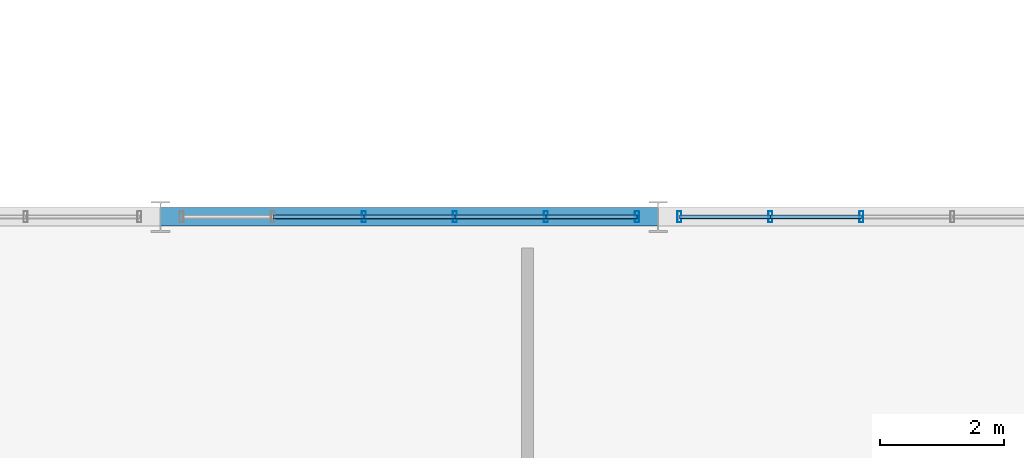
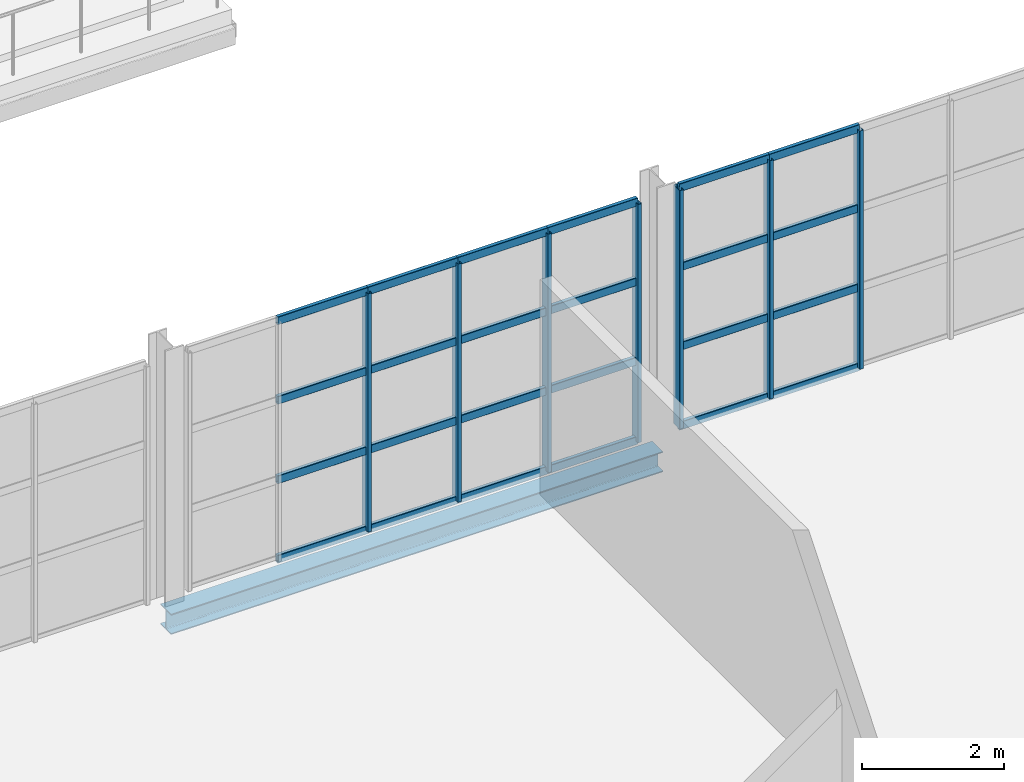
# One storey, part 115 of 153: 31 members, 1 beam, 2 elements without a shape of their own.
"""IFC4 building model written with IfcOpenShell, lengths in metres."""

from ifc_helpers import new_model, si_unit, derived_unit, direction, frame, origin, origin_2d, place, context, subcontext, project, spatial, hollow_rectangle, i_section, extrude, material, material_profile, profile_set, type_object, element, aggregate, save


model = new_model("IFC4")

# Units and contexts
model_context = context("Model", 3, precision=1e-05, world=origin(), true_north=direction((0.0, 1.0)))
body_context = subcontext(model_context, "Body", "Model", "MODEL_VIEW")
ifc_project = project(units=[si_unit("LENGTHUNIT", "METRE"), si_unit("AREAUNIT", "SQUARE_METRE"), si_unit("VOLUMEUNIT", "CUBIC_METRE"), si_unit("PLANEANGLEUNIT", "RADIAN"), si_unit("MASSUNIT", "GRAM", prefix="KILO"), derived_unit("THERMALTRANSMITTANCEUNIT", [(si_unit("POWERUNIT", "WATT"), 1), (si_unit("LENGTHUNIT", "METRE"), -2), (si_unit("THERMODYNAMICTEMPERATUREUNIT", "KELVIN"), -1)])], contexts=[model_context])

# Site, building, storey
site_placement = place(None, origin())
site = spatial("IfcSite", under=ifc_project, at=site_placement, CompositionType="ELEMENT")
building_placement = place(site_placement, origin())
building = spatial("IfcBuilding", under=site, at=building_placement, Name="Keldorne Ridge Multi-Sports Centre", CompositionType="ELEMENT")
storey_placement = place(building_placement, frame((0.0, 0.0, 9.60009765625)))
storey = spatial("IfcBuildingStorey", under=building, at=storey_placement, Name="L02", CompositionType="ELEMENT", Elevation=9.60009765625)

# Beam
ifc_material_1 = material(Name="Steel S355", Category="steel")
ifc_material_profile_1 = material_profile(ifc_material_1, i_section(OverallWidth=0.300048828125, OverallDepth=0.35009765625, WebThickness=0.010009765625, FlangeThickness=0.017578125, FilletRadius=0.027099609375, at=origin_2d()), Name="HEA 360")
ifc_profile_set_1 = profile_set([ifc_material_profile_1], Name="Steel S355")
beam_type = type_object("IfcBeamType", Name="BM-SP-03", PredefinedType="SPANDREL", material=ifc_profile_set_1)
beam_placement = place(storey_placement, frame((152.0, 54.0, -0.4150390625), z_axis=(1.0, 0.0, 0.0), x_axis=(0.0, 1.0, 0.0)))
element("IfcBeam", 1, at=beam_placement, inside=storey, type_object=beam_type, Name="L02 Stacked Courts beam 7.13", PredefinedType="SPANDREL", context=body_context, shape_type="SweptSolid", body=[
    extrude(i_section(OverallWidth=0.300048828125, OverallDepth=0.35009765625, WebThickness=0.010009765625, FlangeThickness=0.017578125, FilletRadius=0.027099609375, at=origin_2d()), origin(), (0.0, 0.0, 1.0), 8.0),
])

# Curtain wall, members
ifc_material_2 = material(Name="Anodized aluminium", Category="aluminium")
curtain_wall_type_1 = type_object("IfcCurtainWallType", Name="CW-CW-02", PredefinedType="NOTDEFINED", material=ifc_material_2)
curtain_wall_1_placement = place(storey_placement, origin())
curtain_wall_1 = element("IfcCurtainWall", 2, at=curtain_wall_1_placement, inside=storey, type_object=curtain_wall_type_1, Name="Upper Courts north glazing 130", PredefinedType="NOTDEFINED")
ifc_material_profile_2 = material_profile(ifc_material_2, hollow_rectangle(XDim=0.06494140625, YDim=0.179931640625, WallThickness=0.00439453125, InnerFilletRadius=0.00439453125, OuterFilletRadius=0.009033203125, at=origin_2d()), Name="ALU MULLION 180x65x4.5")
ifc_profile_set_2 = profile_set([ifc_material_profile_2], Name="Anodized aluminium")
member_type_1 = type_object("IfcMemberType", Name="MEM-ML-01", PredefinedType="MULLION", material=ifc_profile_set_2)
member_1_placement = place(storey_placement, frame((159.659912109375, 54.0, 0.0), z_axis=(0.0, 0.0, 1.0), x_axis=(1.0, 0.0, 0.0)))
member_1 = element("IfcMember", 3, at=member_1_placement, type_object=member_type_1, Name="CW-130 vertical mullion 1", PredefinedType="MULLION", context=body_context, shape_type="SweptSolid", body=[
    extrude(hollow_rectangle(XDim=0.06494140625, YDim=0.179931640625, WallThickness=0.00439453125, InnerFilletRadius=0.00439453125, OuterFilletRadius=0.009033203125, at=origin_2d()), origin(), (0.0, 0.0, 1.0), 4.099853515625),
])
member_2_placement = place(storey_placement, frame((158.196044921875, 54.0, 0.0), z_axis=(0.0, 0.0, 1.0), x_axis=(1.0, 0.0, 0.0)))
member_2 = element("IfcMember", 4, at=member_2_placement, type_object=member_type_1, Name="CW-130 vertical mullion 2", PredefinedType="MULLION", context=body_context, shape_type="SweptSolid", body=[
    extrude(hollow_rectangle(XDim=0.06494140625, YDim=0.179931640625, WallThickness=0.00439453125, InnerFilletRadius=0.00439453125, OuterFilletRadius=0.009033203125, at=origin_2d()), origin(), (0.0, 0.0, 1.0), 4.099853515625),
])
member_3_placement = place(storey_placement, frame((156.73193359375, 54.0, 0.0), z_axis=(0.0, 0.0, 1.0), x_axis=(1.0, 0.0, 0.0)))
member_3 = element("IfcMember", 5, at=member_3_placement, type_object=member_type_1, Name="CW-130 vertical mullion 3", PredefinedType="MULLION", context=body_context, shape_type="SweptSolid", body=[
    extrude(hollow_rectangle(XDim=0.06494140625, YDim=0.179931640625, WallThickness=0.00439453125, InnerFilletRadius=0.00439453125, OuterFilletRadius=0.009033203125, at=origin_2d()), origin(), (0.0, 0.0, 1.0), 4.099853515625),
])
member_4_placement = place(storey_placement, frame((155.26806640625, 54.0, 0.0), z_axis=(0.0, 0.0, 1.0), x_axis=(1.0, 0.0, 0.0)))
member_4 = element("IfcMember", 6, at=member_4_placement, type_object=member_type_1, Name="CW-130 vertical mullion 4", PredefinedType="MULLION", context=body_context, shape_type="SweptSolid", body=[
    extrude(hollow_rectangle(XDim=0.06494140625, YDim=0.179931640625, WallThickness=0.00439453125, InnerFilletRadius=0.00439453125, OuterFilletRadius=0.009033203125, at=origin_2d()), origin(), (0.0, 0.0, 1.0), 4.099853515625),
])

curtain_wall_type_2 = type_object("IfcCurtainWallType", Name="CW-CW-01", PredefinedType="NOTDEFINED", material=ifc_material_2)
curtain_wall_2_placement = place(storey_placement, origin())
curtain_wall_2 = element("IfcCurtainWall", 7, at=curtain_wall_2_placement, inside=storey, type_object=curtain_wall_type_2, Name="Upper Courts north glazing 137", PredefinedType="NOTDEFINED")
member_5_placement = place(storey_placement, frame((163.26806640625, 54.0, 0.0), z_axis=(0.0, 0.0, 1.0), x_axis=(1.0, 0.0, 0.0)))
member_5 = element("IfcMember", 8, at=member_5_placement, type_object=member_type_1, Name="CW-137 vertical mullion 4", PredefinedType="MULLION", context=body_context, shape_type="SweptSolid", body=[
    extrude(hollow_rectangle(XDim=0.06494140625, YDim=0.179931640625, WallThickness=0.00439453125, InnerFilletRadius=0.00439453125, OuterFilletRadius=0.009033203125, at=origin_2d()), origin(), (0.0, 0.0, 1.0), 4.099853515625),
])
member_6_placement = place(storey_placement, frame((161.803955078125, 54.0, 0.0), z_axis=(0.0, 0.0, 1.0), x_axis=(1.0, 0.0, 0.0)))
member_6 = element("IfcMember", 9, at=member_6_placement, type_object=member_type_1, Name="CW-137 vertical mullion 5", PredefinedType="MULLION", context=body_context, shape_type="SweptSolid", body=[
    extrude(hollow_rectangle(XDim=0.06494140625, YDim=0.179931640625, WallThickness=0.00439453125, InnerFilletRadius=0.00439453125, OuterFilletRadius=0.009033203125, at=origin_2d()), origin(), (0.0, 0.0, 1.0), 4.099853515625),
])
member_7_placement = place(storey_placement, frame((160.340087890625, 54.0, 0.0), z_axis=(0.0, 0.0, 1.0), x_axis=(1.0, 0.0, 0.0)))
member_7 = element("IfcMember", 10, at=member_7_placement, type_object=member_type_1, Name="CW-137 vertical mullion 6", PredefinedType="MULLION", context=body_context, shape_type="SweptSolid", body=[
    extrude(hollow_rectangle(XDim=0.06494140625, YDim=0.179931640625, WallThickness=0.00439453125, InnerFilletRadius=0.00439453125, OuterFilletRadius=0.009033203125, at=origin_2d()), origin(), (0.0, 0.0, 1.0), 4.099853515625),
])

# Member
ifc_material_profile_3 = material_profile(ifc_material_2, hollow_rectangle(XDim=0.06494140625, YDim=0.139892578125, WallThickness=0.00439453125, InnerFilletRadius=0.00439453125, OuterFilletRadius=0.009033203125, at=origin_2d()), Name="ALU TRANSOM 140x65x4.5")
ifc_profile_set_3 = profile_set([ifc_material_profile_3], Name="Anodized aluminium")
member_type_2 = type_object("IfcMemberType", Name="MEM-TR-01", PredefinedType="USERDEFINED", material=ifc_profile_set_3)
member_8_placement = place(storey_placement, frame((159.659912109375, 54.0, 0.0), z_axis=(-1.0, 0.0, 0.0), x_axis=(0.0, -1.0, 0.0)))
member_8 = element("IfcMember", 11, at=member_8_placement, type_object=member_type_2, Name="CW-130 transom 1.1", ObjectType="TRANSOM", PredefinedType="USERDEFINED", context=body_context, shape_type="SweptSolid", body=[
    extrude(hollow_rectangle(XDim=0.06494140625, YDim=0.139892578125, WallThickness=0.00439453125, InnerFilletRadius=0.00439453125, OuterFilletRadius=0.009033203125, at=origin_2d()), origin(), (0.0, 0.0, 1.0), 1.4638671875),
])

member_9_placement = place(storey_placement, frame((159.659912109375, 54.0, 1.36669921875), z_axis=(-1.0, 0.0, 0.0), x_axis=(0.0, -1.0, 0.0)))
member_9 = element("IfcMember", 12, at=member_9_placement, type_object=member_type_2, Name="CW-130 transom 1.2", ObjectType="TRANSOM", PredefinedType="USERDEFINED", context=body_context, shape_type="SweptSolid", body=[
    extrude(hollow_rectangle(XDim=0.06494140625, YDim=0.139892578125, WallThickness=0.00439453125, InnerFilletRadius=0.00439453125, OuterFilletRadius=0.009033203125, at=origin_2d()), origin(), (0.0, 0.0, 1.0), 1.4638671875),
])

member_10_placement = place(storey_placement, frame((159.659912109375, 54.0, 2.733154296875), z_axis=(-1.0, 0.0, 0.0), x_axis=(0.0, -1.0, 0.0)))
member_10 = element("IfcMember", 13, at=member_10_placement, type_object=member_type_2, Name="CW-130 transom 1.3", ObjectType="TRANSOM", PredefinedType="USERDEFINED", context=body_context, shape_type="SweptSolid", body=[
    extrude(hollow_rectangle(XDim=0.06494140625, YDim=0.139892578125, WallThickness=0.00439453125, InnerFilletRadius=0.00439453125, OuterFilletRadius=0.009033203125, at=origin_2d()), origin(), (0.0, 0.0, 1.0), 1.4638671875),
])

member_11_placement = place(storey_placement, frame((159.659912109375, 54.0, 4.099853515625), z_axis=(-1.0, 0.0, 0.0), x_axis=(0.0, -1.0, 0.0)))
member_11 = element("IfcMember", 14, at=member_11_placement, type_object=member_type_2, Name="CW-130 transom 1.4", ObjectType="TRANSOM", PredefinedType="USERDEFINED", context=body_context, shape_type="SweptSolid", body=[
    extrude(hollow_rectangle(XDim=0.06494140625, YDim=0.139892578125, WallThickness=0.00439453125, InnerFilletRadius=0.00439453125, OuterFilletRadius=0.009033203125, at=origin_2d()), origin(), (0.0, 0.0, 1.0), 1.4638671875),
])

member_12_placement = place(storey_placement, frame((158.196044921875, 54.0, 0.0), z_axis=(-1.0, 0.0, 0.0), x_axis=(0.0, -1.0, 0.0)))
member_12 = element("IfcMember", 15, at=member_12_placement, type_object=member_type_2, Name="CW-130 transom 2.1", ObjectType="TRANSOM", PredefinedType="USERDEFINED", context=body_context, shape_type="SweptSolid", body=[
    extrude(hollow_rectangle(XDim=0.06494140625, YDim=0.139892578125, WallThickness=0.00439453125, InnerFilletRadius=0.00439453125, OuterFilletRadius=0.009033203125, at=origin_2d()), origin(), (0.0, 0.0, 1.0), 1.464111328125),
])

member_13_placement = place(storey_placement, frame((158.196044921875, 54.0, 1.36669921875), z_axis=(-1.0, 0.0, 0.0), x_axis=(0.0, -1.0, 0.0)))
member_13 = element("IfcMember", 16, at=member_13_placement, type_object=member_type_2, Name="CW-130 transom 2.2", ObjectType="TRANSOM", PredefinedType="USERDEFINED", context=body_context, shape_type="SweptSolid", body=[
    extrude(hollow_rectangle(XDim=0.06494140625, YDim=0.139892578125, WallThickness=0.00439453125, InnerFilletRadius=0.00439453125, OuterFilletRadius=0.009033203125, at=origin_2d()), origin(), (0.0, 0.0, 1.0), 1.464111328125),
])

member_14_placement = place(storey_placement, frame((158.196044921875, 54.0, 2.733154296875), z_axis=(-1.0, 0.0, 0.0), x_axis=(0.0, -1.0, 0.0)))
member_14 = element("IfcMember", 17, at=member_14_placement, type_object=member_type_2, Name="CW-130 transom 2.3", ObjectType="TRANSOM", PredefinedType="USERDEFINED", context=body_context, shape_type="SweptSolid", body=[
    extrude(hollow_rectangle(XDim=0.06494140625, YDim=0.139892578125, WallThickness=0.00439453125, InnerFilletRadius=0.00439453125, OuterFilletRadius=0.009033203125, at=origin_2d()), origin(), (0.0, 0.0, 1.0), 1.464111328125),
])

member_15_placement = place(storey_placement, frame((158.196044921875, 54.0, 4.099853515625), z_axis=(-1.0, 0.0, 0.0), x_axis=(0.0, -1.0, 0.0)))
member_15 = element("IfcMember", 18, at=member_15_placement, type_object=member_type_2, Name="CW-130 transom 2.4", ObjectType="TRANSOM", PredefinedType="USERDEFINED", context=body_context, shape_type="SweptSolid", body=[
    extrude(hollow_rectangle(XDim=0.06494140625, YDim=0.139892578125, WallThickness=0.00439453125, InnerFilletRadius=0.00439453125, OuterFilletRadius=0.009033203125, at=origin_2d()), origin(), (0.0, 0.0, 1.0), 1.464111328125),
])

member_16_placement = place(storey_placement, frame((156.73193359375, 54.0, 0.0), z_axis=(-1.0, 0.0, 0.0), x_axis=(0.0, -1.0, 0.0)))
member_16 = element("IfcMember", 19, at=member_16_placement, type_object=member_type_2, Name="CW-130 transom 3.1", ObjectType="TRANSOM", PredefinedType="USERDEFINED", context=body_context, shape_type="SweptSolid", body=[
    extrude(hollow_rectangle(XDim=0.06494140625, YDim=0.139892578125, WallThickness=0.00439453125, InnerFilletRadius=0.00439453125, OuterFilletRadius=0.009033203125, at=origin_2d()), origin(), (0.0, 0.0, 1.0), 1.4638671875),
])

member_17_placement = place(storey_placement, frame((156.73193359375, 54.0, 1.36669921875), z_axis=(-1.0, 0.0, 0.0), x_axis=(0.0, -1.0, 0.0)))
member_17 = element("IfcMember", 20, at=member_17_placement, type_object=member_type_2, Name="CW-130 transom 3.2", ObjectType="TRANSOM", PredefinedType="USERDEFINED", context=body_context, shape_type="SweptSolid", body=[
    extrude(hollow_rectangle(XDim=0.06494140625, YDim=0.139892578125, WallThickness=0.00439453125, InnerFilletRadius=0.00439453125, OuterFilletRadius=0.009033203125, at=origin_2d()), origin(), (0.0, 0.0, 1.0), 1.4638671875),
])

member_18_placement = place(storey_placement, frame((156.73193359375, 54.0, 2.733154296875), z_axis=(-1.0, 0.0, 0.0), x_axis=(0.0, -1.0, 0.0)))
member_18 = element("IfcMember", 21, at=member_18_placement, type_object=member_type_2, Name="CW-130 transom 3.3", ObjectType="TRANSOM", PredefinedType="USERDEFINED", context=body_context, shape_type="SweptSolid", body=[
    extrude(hollow_rectangle(XDim=0.06494140625, YDim=0.139892578125, WallThickness=0.00439453125, InnerFilletRadius=0.00439453125, OuterFilletRadius=0.009033203125, at=origin_2d()), origin(), (0.0, 0.0, 1.0), 1.4638671875),
])

member_19_placement = place(storey_placement, frame((156.73193359375, 54.0, 4.099853515625), z_axis=(-1.0, 0.0, 0.0), x_axis=(0.0, -1.0, 0.0)))
member_19 = element("IfcMember", 22, at=member_19_placement, type_object=member_type_2, Name="CW-130 transom 3.4", ObjectType="TRANSOM", PredefinedType="USERDEFINED", context=body_context, shape_type="SweptSolid", body=[
    extrude(hollow_rectangle(XDim=0.06494140625, YDim=0.139892578125, WallThickness=0.00439453125, InnerFilletRadius=0.00439453125, OuterFilletRadius=0.009033203125, at=origin_2d()), origin(), (0.0, 0.0, 1.0), 1.4638671875),
])

member_20_placement = place(storey_placement, frame((155.26806640625, 54.0, 0.0), z_axis=(-1.0, 0.0, 0.0), x_axis=(0.0, -1.0, 0.0)))
member_20 = element("IfcMember", 23, at=member_20_placement, type_object=member_type_2, Name="CW-130 transom 4.1", ObjectType="TRANSOM", PredefinedType="USERDEFINED", context=body_context, shape_type="SweptSolid", body=[
    extrude(hollow_rectangle(XDim=0.06494140625, YDim=0.139892578125, WallThickness=0.00439453125, InnerFilletRadius=0.00439453125, OuterFilletRadius=0.009033203125, at=origin_2d()), origin(), (0.0, 0.0, 1.0), 1.464111328125),
])

member_21_placement = place(storey_placement, frame((155.26806640625, 54.0, 1.36669921875), z_axis=(-1.0, 0.0, 0.0), x_axis=(0.0, -1.0, 0.0)))
member_21 = element("IfcMember", 24, at=member_21_placement, type_object=member_type_2, Name="CW-130 transom 4.2", ObjectType="TRANSOM", PredefinedType="USERDEFINED", context=body_context, shape_type="SweptSolid", body=[
    extrude(hollow_rectangle(XDim=0.06494140625, YDim=0.139892578125, WallThickness=0.00439453125, InnerFilletRadius=0.00439453125, OuterFilletRadius=0.009033203125, at=origin_2d()), origin(), (0.0, 0.0, 1.0), 1.464111328125),
])

member_22_placement = place(storey_placement, frame((155.26806640625, 54.0, 2.733154296875), z_axis=(-1.0, 0.0, 0.0), x_axis=(0.0, -1.0, 0.0)))
member_22 = element("IfcMember", 25, at=member_22_placement, type_object=member_type_2, Name="CW-130 transom 4.3", ObjectType="TRANSOM", PredefinedType="USERDEFINED", context=body_context, shape_type="SweptSolid", body=[
    extrude(hollow_rectangle(XDim=0.06494140625, YDim=0.139892578125, WallThickness=0.00439453125, InnerFilletRadius=0.00439453125, OuterFilletRadius=0.009033203125, at=origin_2d()), origin(), (0.0, 0.0, 1.0), 1.464111328125),
])

member_23_placement = place(storey_placement, frame((155.26806640625, 54.0, 4.099853515625), z_axis=(-1.0, 0.0, 0.0), x_axis=(0.0, -1.0, 0.0)))
member_23 = element("IfcMember", 26, at=member_23_placement, type_object=member_type_2, Name="CW-130 transom 4.4", ObjectType="TRANSOM", PredefinedType="USERDEFINED", context=body_context, shape_type="SweptSolid", body=[
    extrude(hollow_rectangle(XDim=0.06494140625, YDim=0.139892578125, WallThickness=0.00439453125, InnerFilletRadius=0.00439453125, OuterFilletRadius=0.009033203125, at=origin_2d()), origin(), (0.0, 0.0, 1.0), 1.464111328125),
])

aggregate(curtain_wall_1, [member_1, member_2, member_3, member_4, member_8, member_9, member_10, member_11, member_12, member_13, member_14, member_15, member_16, member_17, member_18, member_19, member_20, member_21, member_22, member_23])

member_24_placement = place(storey_placement, frame((163.26806640625, 54.0, 0.0), z_axis=(-1.0, 0.0, 0.0), x_axis=(0.0, -1.0, 0.0)))
member_24 = element("IfcMember", 27, at=member_24_placement, type_object=member_type_2, Name="CW-137 transom 4.1", ObjectType="TRANSOM", PredefinedType="USERDEFINED", context=body_context, shape_type="SweptSolid", body=[
    extrude(hollow_rectangle(XDim=0.06494140625, YDim=0.139892578125, WallThickness=0.00439453125, InnerFilletRadius=0.00439453125, OuterFilletRadius=0.009033203125, at=origin_2d()), origin(), (0.0, 0.0, 1.0), 1.464111328125),
])

member_25_placement = place(storey_placement, frame((163.26806640625, 54.0, 1.36669921875), z_axis=(-1.0, 0.0, 0.0), x_axis=(0.0, -1.0, 0.0)))
member_25 = element("IfcMember", 28, at=member_25_placement, type_object=member_type_2, Name="CW-137 transom 4.2", ObjectType="TRANSOM", PredefinedType="USERDEFINED", context=body_context, shape_type="SweptSolid", body=[
    extrude(hollow_rectangle(XDim=0.06494140625, YDim=0.139892578125, WallThickness=0.00439453125, InnerFilletRadius=0.00439453125, OuterFilletRadius=0.009033203125, at=origin_2d()), origin(), (0.0, 0.0, 1.0), 1.464111328125),
])

member_26_placement = place(storey_placement, frame((163.26806640625, 54.0, 2.733154296875), z_axis=(-1.0, 0.0, 0.0), x_axis=(0.0, -1.0, 0.0)))
member_26 = element("IfcMember", 29, at=member_26_placement, type_object=member_type_2, Name="CW-137 transom 4.3", ObjectType="TRANSOM", PredefinedType="USERDEFINED", context=body_context, shape_type="SweptSolid", body=[
    extrude(hollow_rectangle(XDim=0.06494140625, YDim=0.139892578125, WallThickness=0.00439453125, InnerFilletRadius=0.00439453125, OuterFilletRadius=0.009033203125, at=origin_2d()), origin(), (0.0, 0.0, 1.0), 1.464111328125),
])

member_27_placement = place(storey_placement, frame((163.26806640625, 54.0, 4.099853515625), z_axis=(-1.0, 0.0, 0.0), x_axis=(0.0, -1.0, 0.0)))
member_27 = element("IfcMember", 30, at=member_27_placement, type_object=member_type_2, Name="CW-137 transom 4.4", ObjectType="TRANSOM", PredefinedType="USERDEFINED", context=body_context, shape_type="SweptSolid", body=[
    extrude(hollow_rectangle(XDim=0.06494140625, YDim=0.139892578125, WallThickness=0.00439453125, InnerFilletRadius=0.00439453125, OuterFilletRadius=0.009033203125, at=origin_2d()), origin(), (0.0, 0.0, 1.0), 1.464111328125),
])

member_28_placement = place(storey_placement, frame((161.803955078125, 54.0, 0.0), z_axis=(-1.0, 0.0, 0.0), x_axis=(0.0, -1.0, 0.0)))
member_28 = element("IfcMember", 31, at=member_28_placement, type_object=member_type_2, Name="CW-137 transom 5.1", ObjectType="TRANSOM", PredefinedType="USERDEFINED", context=body_context, shape_type="SweptSolid", body=[
    extrude(hollow_rectangle(XDim=0.06494140625, YDim=0.139892578125, WallThickness=0.00439453125, InnerFilletRadius=0.00439453125, OuterFilletRadius=0.009033203125, at=origin_2d()), origin(), (0.0, 0.0, 1.0), 1.4638671875),
])

member_29_placement = place(storey_placement, frame((161.803955078125, 54.0, 1.36669921875), z_axis=(-1.0, 0.0, 0.0), x_axis=(0.0, -1.0, 0.0)))
member_29 = element("IfcMember", 32, at=member_29_placement, type_object=member_type_2, Name="CW-137 transom 5.2", ObjectType="TRANSOM", PredefinedType="USERDEFINED", context=body_context, shape_type="SweptSolid", body=[
    extrude(hollow_rectangle(XDim=0.06494140625, YDim=0.139892578125, WallThickness=0.00439453125, InnerFilletRadius=0.00439453125, OuterFilletRadius=0.009033203125, at=origin_2d()), origin(), (0.0, 0.0, 1.0), 1.4638671875),
])

member_30_placement = place(storey_placement, frame((161.803955078125, 54.0, 2.733154296875), z_axis=(-1.0, 0.0, 0.0), x_axis=(0.0, -1.0, 0.0)))
member_30 = element("IfcMember", 33, at=member_30_placement, type_object=member_type_2, Name="CW-137 transom 5.3", ObjectType="TRANSOM", PredefinedType="USERDEFINED", context=body_context, shape_type="SweptSolid", body=[
    extrude(hollow_rectangle(XDim=0.06494140625, YDim=0.139892578125, WallThickness=0.00439453125, InnerFilletRadius=0.00439453125, OuterFilletRadius=0.009033203125, at=origin_2d()), origin(), (0.0, 0.0, 1.0), 1.4638671875),
])

member_31_placement = place(storey_placement, frame((161.803955078125, 54.0, 4.099853515625), z_axis=(-1.0, 0.0, 0.0), x_axis=(0.0, -1.0, 0.0)))
member_31 = element("IfcMember", 34, at=member_31_placement, type_object=member_type_2, Name="CW-137 transom 5.4", ObjectType="TRANSOM", PredefinedType="USERDEFINED", context=body_context, shape_type="SweptSolid", body=[
    extrude(hollow_rectangle(XDim=0.06494140625, YDim=0.139892578125, WallThickness=0.00439453125, InnerFilletRadius=0.00439453125, OuterFilletRadius=0.009033203125, at=origin_2d()), origin(), (0.0, 0.0, 1.0), 1.4638671875),
])

aggregate(curtain_wall_2, [member_5, member_6, member_7, member_24, member_25, member_26, member_27, member_28, member_29, member_30, member_31])

save(model, "model.ifc")
